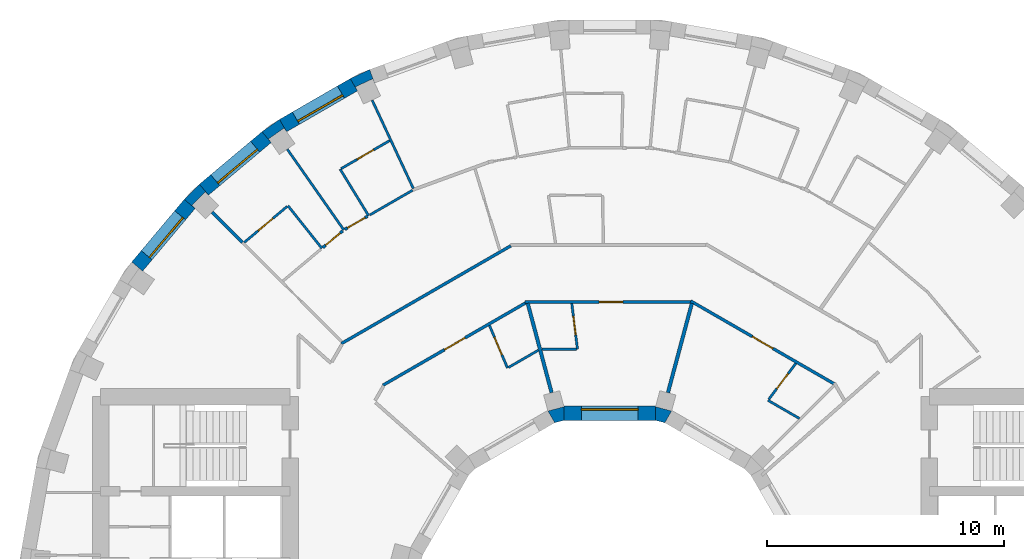
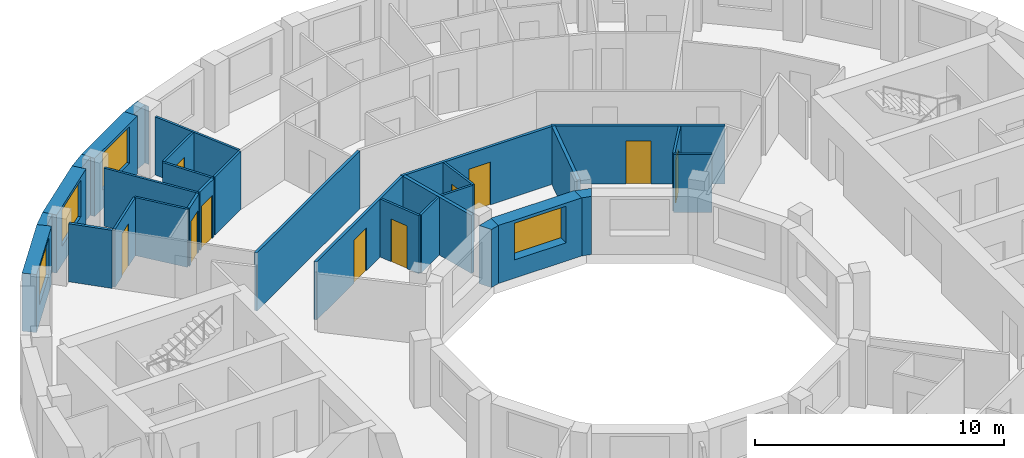
# One storey, part 11 of 15: 31 walls, 10 doors, 4 windows, 14 openings.
"""IFC4 building model written with IfcOpenShell, lengths in metres."""

from ifc_helpers import new_model, si_unit, direction, frame, frame_2d, origin, place, context, subcontext, project, spatial, polyline, rectangle, outline, extrude, material, layer, layer_set, type_object, element, fill, save


model = new_model("IFC4")

# Units and contexts
model_context = context("Model", 3, precision=1e-05, world=origin(), true_north=direction((0.0, 1.0)))
body_context = subcontext(model_context, "Body", "Model", "MODEL_VIEW")
ifc_project = project(units=[si_unit("LENGTHUNIT", "METRE"), si_unit("AREAUNIT", "SQUARE_METRE"), si_unit("VOLUMEUNIT", "CUBIC_METRE"), si_unit("PLANEANGLEUNIT", "RADIAN"), si_unit("MASSUNIT", "GRAM", prefix="KILO")], contexts=[model_context])

# Site, building, storey
site_placement = place(None, origin())
site = spatial("IfcSite", under=ifc_project, at=site_placement, CompositionType="ELEMENT")
building_placement = place(site_placement, origin())
building = spatial("IfcBuilding", under=site, at=building_placement, Name="Saqina Gate Tower", CompositionType="ELEMENT")
storey_placement = place(building_placement, frame((0.0, 0.0, 167.39990234375)))
storey = spatial("IfcBuildingStorey", under=building, at=storey_placement, Name="L47", CompositionType="ELEMENT", Elevation=167.39990234375)

# Walls
ifc_material_1 = material(Name="Brick masonry (buff)", Category="masonry")
wall_type_1 = type_object("IfcWallType", Name="BRICK PIER COPING BUFF", PredefinedType="SOLIDWALL", material=ifc_material_1)
wall_1_placement = place(storey_placement, origin())
element("IfcWall", 1, at=wall_1_placement, inside=storey, type_object=wall_type_1, Name="Pier cap L47 column 12", PredefinedType="SOLIDWALL", context=body_context, shape_type="SweptSolid", body=[
    extrude(outline(polyline([(-10.958740234375, 22.4306640625), (-10.65869140625, 21.9111328125), (-10.73779296875, 22.080810546875), (-10.0126953125, 22.4189453125), (-9.93359375, 22.249267578125), (-10.138916015625, 22.81298828125), (-10.958740234375, 22.4306640625)])), origin(), (0.0, 0.0, 1.0), 2.85009765625),
])
wall_2_placement = place(storey_placement, origin())
element("IfcWall", 2, at=wall_2_placement, inside=storey, type_object=wall_type_1, Name="Pier cap L47 column 13", PredefinedType="SOLIDWALL", context=body_context, shape_type="SweptSolid", body=[
    extrude(outline(polyline([(-13.9462890625, 20.705810546875), (-14.687255859375, 20.18701171875), (-14.301513671875, 19.727294921875), (-14.408935546875, 19.880859375), (-13.753662109375, 20.339599609375), (-13.646240234375, 20.186279296875), (-13.9462890625, 20.705810546875)])), origin(), (0.0, 0.0, 1.0), 2.85009765625),
])
wall_3_placement = place(storey_placement, origin())
element("IfcWall", 3, at=wall_3_placement, inside=storey, type_object=wall_type_1, Name="Pier cap L47 column 14", PredefinedType="SOLIDWALL", context=body_context, shape_type="SweptSolid", body=[
    extrude(outline(polyline([(-17.969482421875, 17.329833984375), (-17.510009765625, 16.944091796875), (-17.642333984375, 17.07666015625), (-17.07666015625, 17.642333984375), (-16.944091796875, 17.510009765625), (-17.329833984375, 17.969482421875), (-17.969482421875, 17.329833984375)])), origin(), (0.0, 0.0, 1.0), 2.85009765625),
])

# Wall, opening, window
ifc_material_2 = material(Name="Brick masonry (buff)", Category="masonry")
ifc_layer_1 = layer(ifc_material_2, 0.60009765625)
ifc_layer_set_1 = layer_set([ifc_layer_1], Name="FW-BRICK-BUFF")
wall_type_2 = type_object("IfcWallType", Name="FW-BRICK-BUFF", PredefinedType="SOLIDWALL", material=ifc_layer_set_1)
wall_4_placement = place(storey_placement, frame((-10.80859375, 22.1708984375, 0.0), z_axis=(0.0, 0.0, 1.0), x_axis=(-0.86602648383, -0.499998129301, 0.0)))
wall_4 = element("IfcWall", 4, at=wall_4_placement, inside=storey, type_object=wall_type_2, Name="Facade wall L47 facet 12", PredefinedType="SOLIDWALL", context=body_context, shape_type="SweptSolid", body=[
    extrude(rectangle(XDim=3.44970703125, YDim=0.60009765625, at=frame_2d((1.724853515625, 0.0))), origin(), (0.0, 0.0, 1.0), 2.85009765625),
])
opening_1_placement = place(wall_4_placement, frame((0.625, 0.0, 0.89990234375)))
opening_1 = element("IfcOpeningElement", 5, at=opening_1_placement, cuts=wall_4, Name="Opening G13-W10", PredefinedType="OPENING", context=body_context, shape_type="SweptSolid", body=[
    extrude(rectangle(XDim=2.199951171875, YDim=1.800048828125, at=frame_2d((1.10009765625, 0.89990234375))), frame((0.0, 0.31201171875, 0.0), z_axis=(0.0, -1.0, 0.0), x_axis=(1.0, 0.0, 0.0)), (0.0, 0.0, 1.0), 0.6240234375),
])
ifc_material_3 = material(Name="Aluminium glazing", Category="aluminium")
window_type_1 = type_object("IfcWindowType", Name="WN-C", PartitioningType="SINGLE_PANEL", PredefinedType="WINDOW", material=ifc_material_3)
window_1_placement = place(opening_1_placement, origin())
window_1 = element("IfcWindow", 6, at=window_1_placement, inside=storey, type_object=window_type_1, Name="Window L47 facet 12", OverallHeight=1.800048828125, OverallWidth=2.199951171875, PartitioningType="SINGLE_PANEL", PredefinedType="WINDOW", context=body_context, shape_type="SweptSolid", body=[
    extrude(rectangle(XDim=2.199951171875, YDim=1.800048828125, at=frame_2d((1.10009765625, 0.89990234375))), frame((0.0, 0.179931640625, 0.0), z_axis=(0.0, -1.0, 0.0), x_axis=(1.0, 0.0, 0.0)), (0.0, 0.0, 1.0), 0.06005859375),
])
fill(opening_1, window_1)

wall_5_placement = place(storey_placement, frame((-14.494384765625, 19.95703125, 0.0), z_axis=(0.0, 0.0, 1.0), x_axis=(-0.766058884809, -0.642770398358, 0.0)))
wall_5 = element("IfcWall", 7, at=wall_5_placement, inside=storey, type_object=wall_type_2, Name="Facade wall L47 facet 13", PredefinedType="SOLIDWALL", context=body_context, shape_type="SweptSolid", body=[
    extrude(rectangle(XDim=3.449462890625, YDim=0.60009765625, at=frame_2d((1.724609375, 0.0))), origin(), (0.0, 0.0, 1.0), 2.85009765625),
])
opening_2_placement = place(wall_5_placement, frame((0.625, 0.0, 0.89990234375)))
opening_2 = element("IfcOpeningElement", 8, at=opening_2_placement, cuts=wall_5, Name="Opening G13-W11", PredefinedType="OPENING", context=body_context, shape_type="SweptSolid", body=[
    extrude(rectangle(XDim=2.199951171875, YDim=1.800048828125, at=frame_2d((1.10009765625, 0.89990234375))), frame((0.0, 0.31201171875, 0.0), z_axis=(0.0, -1.0, 0.0), x_axis=(1.0, 0.0, 0.0)), (0.0, 0.0, 1.0), 0.6240234375),
])
window_2_placement = place(opening_2_placement, origin())
window_2 = element("IfcWindow", 9, at=window_2_placement, inside=storey, type_object=window_type_1, Name="Window L47 facet 13", OverallHeight=1.800048828125, OverallWidth=2.199951171875, PartitioningType="SINGLE_PANEL", PredefinedType="WINDOW", context=body_context, shape_type="SweptSolid", body=[
    extrude(rectangle(XDim=2.199951171875, YDim=1.800048828125, at=frame_2d((1.10009765625, 0.89990234375))), frame((0.0, 0.179931640625, 0.0), z_axis=(0.0, -1.0, 0.0), x_axis=(1.0, 0.0, 0.0)), (0.0, 0.0, 1.0), 0.06005859375),
])
fill(opening_2, window_2)

wall_6_placement = place(storey_placement, frame((-17.73974609375, 17.136962890625, 0.0), z_axis=(0.0, 0.0, 1.0), x_axis=(-0.642770398358, -0.766058884809, 0.0)))
wall_6 = element("IfcWall", 10, at=wall_6_placement, inside=storey, type_object=wall_type_2, Name="Facade wall L47 facet 14", PredefinedType="SOLIDWALL", context=body_context, shape_type="SweptSolid", body=[
    extrude(rectangle(XDim=3.449462890625, YDim=0.60009765625, at=frame_2d((1.724609375, 0.0))), origin(), (0.0, 0.0, 1.0), 2.85009765625),
])
opening_3_placement = place(wall_6_placement, frame((0.625, 0.0, 0.89990234375)))
opening_3 = element("IfcOpeningElement", 11, at=opening_3_placement, cuts=wall_6, Name="Opening G13-W12", PredefinedType="OPENING", context=body_context, shape_type="SweptSolid", body=[
    extrude(rectangle(XDim=2.199951171875, YDim=1.800048828125, at=frame_2d((1.10009765625, 0.89990234375))), frame((0.0, 0.31201171875, 0.0), z_axis=(0.0, -1.0, 0.0), x_axis=(1.0, 0.0, 0.0)), (0.0, 0.0, 1.0), 0.6240234375),
])
window_3_placement = place(opening_3_placement, origin())
window_3 = element("IfcWindow", 12, at=window_3_placement, inside=storey, type_object=window_type_1, Name="Window L47 facet 14", OverallHeight=1.800048828125, OverallWidth=2.199951171875, PartitioningType="SINGLE_PANEL", PredefinedType="WINDOW", context=body_context, shape_type="SweptSolid", body=[
    extrude(rectangle(XDim=2.199951171875, YDim=1.800048828125, at=frame_2d((1.10009765625, 0.89990234375))), frame((0.0, 0.179931640625, 0.0), z_axis=(0.0, -1.0, 0.0), x_axis=(1.0, 0.0, 0.0)), (0.0, 0.0, 1.0), 0.06005859375),
])
fill(opening_3, window_3)

ifc_material_4 = material(Name="Glazed ceramic tile", Category="ceramic")
ifc_layer_2 = layer(ifc_material_4, 0.60009765625)
ifc_layer_set_2 = layer_set([ifc_layer_2], Name="IW-TILE")
wall_type_3 = type_object("IfcWallType", Name="IW-TILE", PredefinedType="SOLIDWALL", material=ifc_layer_set_2)
wall_7_placement = place(storey_placement, frame((1.934814453125, 8.300048828125, 0.0), z_axis=(0.0, 0.0, 1.0), x_axis=(-1.0, 0.0, 0.0)))
wall_7 = element("IfcWall", 13, at=wall_7_placement, inside=storey, type_object=wall_type_3, Name="Well wall L47 facet 3", PredefinedType="SOLIDWALL", context=body_context, shape_type="SweptSolid", body=[
    extrude(rectangle(XDim=3.86962890625, YDim=0.60009765625, at=frame_2d((1.934814453125, 0.0))), origin(), (0.0, 0.0, 1.0), 2.85009765625),
])
opening_4_placement = place(wall_7_placement, frame((0.73486328125, 0.0, 0.89990234375)))
opening_4 = element("IfcOpeningElement", 14, at=opening_4_placement, cuts=wall_7, Name="Opening G13-W25", PredefinedType="OPENING", context=body_context, shape_type="SweptSolid", body=[
    extrude(rectangle(XDim=2.39990234375, YDim=1.800048828125, at=frame_2d((1.199951171875, 0.89990234375))), frame((0.0, 0.31201171875, 0.0), z_axis=(0.0, -1.0, 0.0), x_axis=(1.0, 0.0, 0.0)), (0.0, 0.0, 1.0), 0.6240234375),
])
ifc_material_5 = material(Name="Aluminium glazing", Category="aluminium")
window_type_2 = type_object("IfcWindowType", Name="WN-W", PartitioningType="SINGLE_PANEL", PredefinedType="WINDOW", material=ifc_material_5)
window_4_placement = place(opening_4_placement, origin())
window_4 = element("IfcWindow", 15, at=window_4_placement, inside=storey, type_object=window_type_2, Name="Well window L47 facet 3", OverallHeight=1.800048828125, OverallWidth=2.39990234375, PartitioningType="SINGLE_PANEL", PredefinedType="WINDOW", context=body_context, shape_type="SweptSolid", body=[
    extrude(rectangle(XDim=2.39990234375, YDim=1.800048828125, at=frame_2d((1.199951171875, 0.89990234375))), frame((0.0, -0.119873046875, 0.0), z_axis=(0.0, -1.0, 0.0), x_axis=(1.0, 0.0, 0.0)), (0.0, 0.0, 1.0), 0.06005859375),
])
fill(opening_4, window_4)

# Wall, opening, door
ifc_material_6 = material(Name="Gypsum board on steel studs, 100 mm", Category="steel")
ifc_layer_3 = layer(ifc_material_6, 0.10009765625)
ifc_layer_set_3 = layer_set([ifc_layer_3], Name="PARTITION 100")
wall_type_4 = type_object("IfcWallType", Name="PARTITION 100", PredefinedType="PARTITIONING", material=ifc_layer_set_3)
wall_8_placement = place(storey_placement, frame((-1.604248046875, 12.93798828125, 0.0), z_axis=(0.0, 0.0, 1.0), x_axis=(0.123019127117, -0.992404299851, 0.0)))
wall_8 = element("IfcWall", 16, at=wall_8_placement, inside=storey, type_object=wall_type_4, Name="PARTITION PW3-04", PredefinedType="PARTITIONING", context=body_context, shape_type="SweptSolid", body=[
    extrude(rectangle(XDim=1.952880859375, YDim=0.10009765625, at=frame_2d((0.9765625, 0.0))), origin(), (0.0, 0.0, 1.0), 2.85009765625),
])
opening_5_placement = place(wall_8_placement, frame((0.545166015625, 0.0, 0.0)))
opening_5 = element("IfcOpeningElement", 17, at=opening_5_placement, cuts=wall_8, Name="Opening G13-D16", PredefinedType="OPENING", context=body_context, shape_type="SweptSolid", body=[
    extrude(rectangle(XDim=0.800048828125, YDim=2.10009765625, at=frame_2d((0.39990234375, 1.050048828125))), frame((0.0, 0.06201171875, 0.0), z_axis=(0.0, -1.0, 0.0), x_axis=(1.0, 0.0, 0.0)), (0.0, 0.0, 1.0), 0.1240234375),
])
ifc_material_7 = material(Name="Timber door leaf, 800 mm", Category="wood")
door_type_1 = type_object("IfcDoorType", Name="DOOR 800 TIMBER", OperationType="SINGLE_SWING_LEFT", PredefinedType="DOOR", material=ifc_material_7)
door_1_placement = place(opening_5_placement, origin())
door_1 = element("IfcDoor", 18, at=door_1_placement, inside=storey, type_object=door_type_1, Name="DOOR G13-D16", OperationType="SINGLE_SWING_LEFT", OverallHeight=2.10009765625, OverallWidth=0.800048828125, PredefinedType="DOOR", context=body_context, shape_type="SweptSolid", body=[
    extrude(rectangle(XDim=0.800048828125, YDim=2.10009765625, at=frame_2d((0.39990234375, 1.050048828125))), frame((0.0, 0.02490234375, 0.0), z_axis=(0.0, -1.0, 0.0), x_axis=(1.0, 0.0, 0.0)), (0.0, 0.0, 1.0), 0.050048828125),
])
fill(opening_5, door_1)

wall_9_placement = place(storey_placement, frame((-5.07958984375, 12.00634765625, 0.0), z_axis=(0.0, 0.0, 1.0), x_axis=(0.389493140841, -0.92102936611, 0.0)))
wall_9 = element("IfcWall", 19, at=wall_9_placement, inside=storey, type_object=wall_type_4, Name="PARTITION PW3-08", PredefinedType="PARTITIONING", context=body_context, shape_type="SweptSolid", body=[
    extrude(rectangle(XDim=1.95263671875, YDim=0.10009765625, at=frame_2d((0.976318359375, 0.0))), origin(), (0.0, 0.0, 1.0), 2.85009765625),
])
opening_6_placement = place(wall_9_placement, frame((0.545166015625, 0.0, 0.0)))
opening_6 = element("IfcOpeningElement", 20, at=opening_6_placement, cuts=wall_9, Name="Opening G13-D20", PredefinedType="OPENING", context=body_context, shape_type="SweptSolid", body=[
    extrude(rectangle(XDim=0.800048828125, YDim=2.10009765625, at=frame_2d((0.39990234375, 1.050048828125))), frame((0.0, 0.06201171875, 0.0), z_axis=(0.0, -1.0, 0.0), x_axis=(1.0, 0.0, 0.0)), (0.0, 0.0, 1.0), 0.1240234375),
])
door_2_placement = place(opening_6_placement, frame((0.800048828125, 0.0, 0.0), z_axis=(0.0, 0.0, 1.0), x_axis=(-1.0, 0.0, 0.0)))
door_2 = element("IfcDoor", 21, at=door_2_placement, inside=storey, type_object=door_type_1, Name="DOOR G13-D20", OperationType="SINGLE_SWING_RIGHT", OverallHeight=2.10009765625, OverallWidth=0.800048828125, PredefinedType="DOOR", context=body_context, shape_type="SweptSolid", body=[
    extrude(rectangle(XDim=0.800048828125, YDim=2.10009765625, at=frame_2d((0.39990234375, 1.050048828125))), frame((0.0, 0.02490234375, 0.0), z_axis=(0.0, -1.0, 0.0), x_axis=(1.0, 0.0, 0.0)), (0.0, 0.0, 1.0), 0.050048828125),
])
fill(opening_6, door_2)

# Walls
wall_10_placement = place(storey_placement, frame((-10.032470703125, 21.51611328125, 0.0), z_axis=(0.0, 0.0, 1.0), x_axis=(0.422407439585, -0.906406065173, 0.0)))
element("IfcWall", 22, at=wall_10_placement, inside=storey, type_object=wall_type_4, Name="PARTITION PW3-09", PredefinedType="PARTITIONING", context=body_context, shape_type="SweptSolid", body=[
    extrude(rectangle(XDim=4.110595703125, YDim=0.10009765625, at=frame_2d((2.05517578125, 0.0))), origin(), (0.0, 0.0, 1.0), 2.85009765625),
])
wall_11_placement = place(storey_placement, frame((-11.385009765625, 18.60498046875, 0.0), z_axis=(0.0, 0.0, 1.0), x_axis=(0.522076659847, -0.852898564451, 0.0)))
element("IfcWall", 23, at=wall_11_placement, inside=storey, type_object=wall_type_4, Name="PARTITION PW3-11", PredefinedType="PARTITIONING", context=body_context, shape_type="SweptSolid", body=[
    extrude(rectangle(XDim=2.30029296875, YDim=0.10009765625, at=frame_2d((1.150146484375, 0.0))), origin(), (0.0, 0.0, 1.0), 2.85009765625),
])
wall_12_placement = place(storey_placement, frame((-13.616943359375, 19.446533203125, 0.0), z_axis=(0.0, 0.0, 1.0), x_axis=(0.573631652668, -0.819113378634, 0.0)))
element("IfcWall", 24, at=wall_12_placement, inside=storey, type_object=wall_type_4, Name="PARTITION PW3-13", PredefinedType="PARTITIONING", context=body_context, shape_type="SweptSolid", body=[
    extrude(rectangle(XDim=4.1611328125, YDim=0.10009765625, at=frame_2d((2.08056640625, 0.0))), origin(), (0.0, 0.0, 1.0), 2.85009765625),
])
wall_13_placement = place(storey_placement, frame((-13.589111328125, 17.06103515625, 0.0), z_axis=(0.0, 0.0, 1.0), x_axis=(0.623062698495, -0.782171895266, 0.0)))
element("IfcWall", 25, at=wall_13_placement, inside=storey, type_object=wall_type_4, Name="PARTITION PW3-15", PredefinedType="PARTITIONING", context=body_context, shape_type="SweptSolid", body=[
    extrude(rectangle(XDim=2.300048828125, YDim=0.10009765625, at=frame_2d((1.14990234375, 0.0))), origin(), (0.0, 0.0, 1.0), 2.85009765625),
])
wall_14_placement = place(storey_placement, frame((6.680908203125, 8.843994140625, 0.0), z_axis=(0.0, 0.0, 1.0), x_axis=(0.866336585673, -0.499460629403, 0.0)))
element("IfcWall", 26, at=wall_14_placement, inside=storey, type_object=wall_type_4, Name="PARTITION PW3-24", PredefinedType="PARTITIONING", context=body_context, shape_type="SweptSolid", body=[
    extrude(rectangle(XDim=1.533935546875, YDim=0.10009765625, at=frame_2d((0.76708984375, 0.0))), origin(), (0.0, 0.0, 1.0), 2.85009765625),
])
wall_15_placement = place(storey_placement, frame((-2.8720703125, 11.0, 0.0), z_axis=(0.0, 0.0, 1.0), x_axis=(1.0, 0.0, 0.0)))
element("IfcWall", 27, at=wall_15_placement, inside=storey, type_object=wall_type_4, Name="PARTITION PW3-34", PredefinedType="PARTITIONING", context=body_context, shape_type="SweptSolid", body=[
    extrude(rectangle(XDim=1.4580078125, YDim=0.10009765625, at=frame_2d((0.72900390625, 0.0))), origin(), (0.0, 0.0, 1.0), 2.85009765625),
])
wall_16_placement = place(storey_placement, frame((-4.275634765625, 10.23291015625, 0.0), z_axis=(0.0, 0.0, 1.0), x_axis=(0.866051847062, 0.499954196102, 0.0)))
element("IfcWall", 28, at=wall_16_placement, inside=storey, type_object=wall_type_4, Name="PARTITION PW3-44", PredefinedType="PARTITIONING", context=body_context, shape_type="SweptSolid", body=[
    extrude(rectangle(XDim=1.459228515625, YDim=0.10009765625, at=frame_2d((0.7294921875, 0.0))), origin(), (0.0, 0.0, 1.0), 2.85009765625),
])
wall_17_placement = place(storey_placement, frame((-10.1298828125, 16.67431640625, 0.0), z_axis=(0.0, 0.0, 1.0), x_axis=(0.866052632827, 0.499952834948, 0.0)))
element("IfcWall", 29, at=wall_17_placement, inside=storey, type_object=wall_type_4, Name="PARTITION PW3-45", PredefinedType="PARTITIONING", context=body_context, shape_type="SweptSolid", body=[
    extrude(rectangle(XDim=2.079345703125, YDim=0.10009765625, at=frame_2d((1.03955078125, 0.0))), origin(), (0.0, 0.0, 1.0), 2.85009765625),
])

# Wall, opening, door
wall_18_placement = place(storey_placement, frame((-11.341796875, 18.6298828125, 0.0), z_axis=(0.0, 0.0, 1.0), x_axis=(0.866139183788, 0.49980287545, 0.0)))
wall_18 = element("IfcWall", 30, at=wall_18_placement, inside=storey, type_object=wall_type_4, Name="PARTITION PW3-46", PredefinedType="PARTITIONING", context=body_context, shape_type="SweptSolid", body=[
    extrude(rectangle(XDim=2.365234375, YDim=0.10009765625, at=frame_2d((1.1826171875, 0.0))), origin(), (0.0, 0.0, 1.0), 2.85009765625),
])
opening_7_placement = place(wall_18_placement, frame((0.782470703125, 0.0, 0.0)))
opening_7 = element("IfcOpeningElement", 31, at=opening_7_placement, cuts=wall_18, Name="Opening G13-D21", PredefinedType="OPENING", context=body_context, shape_type="SweptSolid", body=[
    extrude(rectangle(XDim=0.800048828125, YDim=2.10009765625, at=frame_2d((0.39990234375, 1.050048828125))), frame((0.0, 0.06201171875, 0.0), z_axis=(0.0, -1.0, 0.0), x_axis=(1.0, 0.0, 0.0)), (0.0, 0.0, 1.0), 0.1240234375),
])
door_3_placement = place(opening_7_placement, origin())
door_3 = element("IfcDoor", 32, at=door_3_placement, inside=storey, type_object=door_type_1, Name="DOOR G13-D21", OperationType="SINGLE_SWING_RIGHT", OverallHeight=2.10009765625, OverallWidth=0.800048828125, PredefinedType="DOOR", context=body_context, shape_type="SweptSolid", body=[
    extrude(rectangle(XDim=0.800048828125, YDim=2.10009765625, at=frame_2d((0.39990234375, 1.050048828125))), frame((0.0, 0.02490234375, 0.0), z_axis=(0.0, -1.0, 0.0), x_axis=(1.0, 0.0, 0.0)), (0.0, 0.0, 1.0), 0.050048828125),
])
fill(opening_7, door_3)

wall_19_placement = place(storey_placement, frame((-15.4375, 15.510009765625, 0.0), z_axis=(0.0, 0.0, 1.0), x_axis=(0.766091436164, 0.642731601399, 0.0)))
wall_19 = element("IfcWall", 33, at=wall_19_placement, inside=storey, type_object=wall_type_4, Name="PARTITION PW3-51", PredefinedType="PARTITIONING", context=body_context, shape_type="SweptSolid", body=[
    extrude(rectangle(XDim=2.363037109375, YDim=0.10009765625, at=frame_2d((1.181640625, 0.0))), origin(), (0.0, 0.0, 1.0), 2.85009765625),
])
opening_8_placement = place(wall_19_placement, frame((0.78076171875, 0.0, 0.0)))
opening_8 = element("IfcOpeningElement", 34, at=opening_8_placement, cuts=wall_19, Name="Opening G13-D25", PredefinedType="OPENING", context=body_context, shape_type="SweptSolid", body=[
    extrude(rectangle(XDim=0.800048828125, YDim=2.10009765625, at=frame_2d((0.39990234375, 1.050048828125))), frame((0.0, 0.06201171875, 0.0), z_axis=(0.0, -1.0, 0.0), x_axis=(1.0, 0.0, 0.0)), (0.0, 0.0, 1.0), 0.1240234375),
])
door_4_placement = place(opening_8_placement, origin())
door_4 = element("IfcDoor", 35, at=door_4_placement, inside=storey, type_object=door_type_1, Name="DOOR G13-D25", OperationType="SINGLE_SWING_LEFT", OverallHeight=2.10009765625, OverallWidth=0.800048828125, PredefinedType="DOOR", context=body_context, shape_type="SweptSolid", body=[
    extrude(rectangle(XDim=0.800048828125, YDim=2.10009765625, at=frame_2d((0.39990234375, 1.050048828125))), frame((0.0, 0.02490234375, 0.0), z_axis=(0.0, -1.0, 0.0), x_axis=(1.0, 0.0, 0.0)), (0.0, 0.0, 1.0), 0.050048828125),
])
fill(opening_8, door_4)

wall_20_placement = place(storey_placement, frame((6.711181640625, 8.8837890625, 0.0), z_axis=(0.0, 0.0, 1.0), x_axis=(0.602582661098, 0.798056474533, 0.0)))
wall_20 = element("IfcWall", 36, at=wall_20_placement, inside=storey, type_object=wall_type_4, Name="PARTITION PW3-53", PredefinedType="PARTITIONING", context=body_context, shape_type="SweptSolid", body=[
    extrude(rectangle(XDim=1.9033203125, YDim=0.10009765625, at=frame_2d((0.95166015625, 0.0))), origin(), (0.0, 0.0, 1.0), 2.85009765625),
])
opening_9_placement = place(wall_20_placement, frame((0.55810546875, 0.0, 0.0)))
opening_9 = element("IfcOpeningElement", 37, at=opening_9_placement, cuts=wall_20, Name="Opening G13-D03", PredefinedType="OPENING", context=body_context, shape_type="SweptSolid", body=[
    extrude(rectangle(XDim=0.800048828125, YDim=2.10009765625, at=frame_2d((0.39990234375, 1.050048828125))), frame((0.0, 0.06201171875, 0.0), z_axis=(0.0, -1.0, 0.0), x_axis=(1.0, 0.0, 0.0)), (0.0, 0.0, 1.0), 0.1240234375),
])
door_5_placement = place(opening_9_placement, origin())
door_5 = element("IfcDoor", 38, at=door_5_placement, inside=storey, type_object=door_type_1, Name="DOOR G13-D03", OperationType="SINGLE_SWING_RIGHT", OverallHeight=2.10009765625, OverallWidth=0.800048828125, PredefinedType="DOOR", context=body_context, shape_type="SweptSolid", body=[
    extrude(rectangle(XDim=0.800048828125, YDim=2.10009765625, at=frame_2d((0.39990234375, 1.050048828125))), frame((0.0, 0.02490234375, 0.0), z_axis=(0.0, -1.0, 0.0), x_axis=(1.0, 0.0, 0.0)), (0.0, 0.0, 1.0), 0.050048828125),
])
fill(opening_9, door_5)

# Wall
ifc_material_8 = material(Name="Gypsum board on steel studs, 125 mm, fire rated", Category="steel")
ifc_layer_4 = layer(ifc_material_8, 0.125)
ifc_layer_set_4 = layer_set([ifc_layer_4], Name="PARTITION EI 30 125")
wall_type_5 = type_object("IfcWallType", Name="PARTITION EI 30 125", PredefinedType="PARTITIONING", material=ifc_layer_set_4)
wall_21_placement = place(storey_placement, frame((-16.78662109375, 16.78662109375, 0.0), z_axis=(0.0, 0.0, 1.0), x_axis=(0.707106781187, -0.707106781187, 0.0)))
element("IfcWall", 39, at=wall_21_placement, inside=storey, type_object=wall_type_5, Name="PARTITION PW1-05", PredefinedType="PARTITIONING", context=body_context, shape_type="SweptSolid", body=[
    extrude(rectangle(XDim=1.80224609375, YDim=0.125, at=frame_2d((0.901123046875, 0.0))), origin(), (0.0, 0.0, 1.0), 2.85009765625),
])

# Wall, opening, door
wall_22_placement = place(storey_placement, frame((3.42041015625, 13.0361328125, 0.0), z_axis=(0.0, 0.0, 1.0), x_axis=(0.866077207726, -0.499910262205, 0.0)))
wall_22 = element("IfcWall", 40, at=wall_22_placement, inside=storey, type_object=wall_type_5, Name="PARTITION PW1-12", PredefinedType="PARTITIONING", context=body_context, shape_type="SweptSolid", body=[
    extrude(rectangle(XDim=6.976806640625, YDim=0.125, at=frame_2d((3.48828125, 0.0))), origin(), (0.0, 0.0, 1.0), 2.85009765625),
])
opening_10_placement = place(wall_22_placement, frame((3.0048828125, 0.0, 0.0)))
opening_10 = element("IfcOpeningElement", 41, at=opening_10_placement, cuts=wall_22, Name="Opening G13-D05", PredefinedType="OPENING", context=body_context, shape_type="SweptSolid", body=[
    extrude(rectangle(XDim=1.0, YDim=2.10009765625, at=frame_2d((0.5, 1.050048828125))), frame((0.0, 0.074462890625, 0.0), z_axis=(0.0, -1.0, 0.0), x_axis=(1.0, 0.0, 0.0)), (0.0, 0.0, 1.0), 0.14892578125),
])
ifc_material_9 = material(Name="Fire door leaf EI 30, 1000 mm")
door_type_2 = type_object("IfcDoorType", Name="DOOR 1000 EI 30", OperationType="SINGLE_SWING_LEFT", PredefinedType="DOOR", material=ifc_material_9)
door_6_placement = place(opening_10_placement, frame((1.0, 0.0, 0.0), z_axis=(0.0, 0.0, 1.0), x_axis=(-1.0, 0.0, 0.0)))
door_6 = element("IfcDoor", 42, at=door_6_placement, inside=storey, type_object=door_type_2, Name="DOOR G13-D05", OperationType="SINGLE_SWING_LEFT", OverallHeight=2.10009765625, OverallWidth=1.0, PredefinedType="DOOR", context=body_context, shape_type="SweptSolid", body=[
    extrude(rectangle(XDim=1.0, YDim=2.10009765625, at=frame_2d((0.5, 1.050048828125))), frame((0.0, 0.02490234375, 0.0), z_axis=(0.0, -1.0, 0.0), x_axis=(1.0, 0.0, 0.0)), (0.0, 0.0, 1.0), 0.050048828125),
])
fill(opening_10, door_6)

wall_23_placement = place(storey_placement, frame((-3.569580078125, 13.0, 0.0), z_axis=(0.0, 0.0, 1.0), x_axis=(1.0, 0.0, 0.0)))
wall_23 = element("IfcWall", 43, at=wall_23_placement, inside=storey, type_object=wall_type_5, Name="PARTITION PW1-19", PredefinedType="PARTITIONING", context=body_context, shape_type="SweptSolid", body=[
    extrude(rectangle(XDim=6.989990234375, YDim=0.125, at=frame_2d((3.4951171875, 0.0))), origin(), (0.0, 0.0, 1.0), 2.85009765625),
])
opening_11_placement = place(wall_23_placement, frame((3.1201171875, 0.0, 0.0)))
opening_11 = element("IfcOpeningElement", 44, at=opening_11_placement, cuts=wall_23, Name="Opening G13-D13", PredefinedType="OPENING", context=body_context, shape_type="SweptSolid", body=[
    extrude(rectangle(XDim=1.0, YDim=2.10009765625, at=frame_2d((0.5, 1.050048828125))), frame((0.0, 0.074462890625, 0.0), z_axis=(0.0, -1.0, 0.0), x_axis=(1.0, 0.0, 0.0)), (0.0, 0.0, 1.0), 0.14892578125),
])
door_7_placement = place(opening_11_placement, frame((1.0, 0.0, 0.0), z_axis=(0.0, 0.0, 1.0), x_axis=(-1.0, 0.0, 0.0)))
door_7 = element("IfcDoor", 45, at=door_7_placement, inside=storey, type_object=door_type_2, Name="DOOR G13-D13", OperationType="SINGLE_SWING_LEFT", OverallHeight=2.10009765625, OverallWidth=1.0, PredefinedType="DOOR", context=body_context, shape_type="SweptSolid", body=[
    extrude(rectangle(XDim=1.0, YDim=2.10009765625, at=frame_2d((0.5, 1.050048828125))), frame((0.0, 0.02490234375, 0.0), z_axis=(0.0, -1.0, 0.0), x_axis=(1.0, 0.0, 0.0)), (0.0, 0.0, 1.0), 0.050048828125),
])
fill(opening_11, door_7)

wall_24_placement = place(storey_placement, frame((-9.57958984375, 9.48095703125, 0.0), z_axis=(0.0, 0.0, 1.0), x_axis=(0.866086354705, 0.499894415045, 0.0)))
wall_24 = element("IfcWall", 46, at=wall_24_placement, inside=storey, type_object=wall_type_5, Name="PARTITION PW1-26", PredefinedType="PARTITIONING", context=body_context, shape_type="SweptSolid", body=[
    extrude(rectangle(XDim=6.96435546875, YDim=0.125, at=frame_2d((3.482177734375, 0.0))), origin(), (0.0, 0.0, 1.0), 2.85009765625),
])
opening_12_placement = place(wall_24_placement, frame((3.0048828125, 0.0, 0.0)))
opening_12 = element("IfcOpeningElement", 47, at=opening_12_placement, cuts=wall_24, Name="Opening G13-D22", PredefinedType="OPENING", context=body_context, shape_type="SweptSolid", body=[
    extrude(rectangle(XDim=1.0, YDim=2.10009765625, at=frame_2d((0.5, 1.050048828125))), frame((0.0, 0.074462890625, 0.0), z_axis=(0.0, -1.0, 0.0), x_axis=(1.0, 0.0, 0.0)), (0.0, 0.0, 1.0), 0.14892578125),
])
door_8_placement = place(opening_12_placement, frame((1.0, 0.0, 0.0), z_axis=(0.0, 0.0, 1.0), x_axis=(-1.0, 0.0, 0.0)))
door_8 = element("IfcDoor", 48, at=door_8_placement, inside=storey, type_object=door_type_2, Name="DOOR G13-D22", OperationType="SINGLE_SWING_LEFT", OverallHeight=2.10009765625, OverallWidth=1.0, PredefinedType="DOOR", context=body_context, shape_type="SweptSolid", body=[
    extrude(rectangle(XDim=1.0, YDim=2.10009765625, at=frame_2d((0.5, 1.050048828125))), frame((0.0, 0.02490234375, 0.0), z_axis=(0.0, -1.0, 0.0), x_axis=(1.0, 0.0, 0.0)), (0.0, 0.0, 1.0), 0.050048828125),
])
fill(opening_12, door_8)

# Wall
wall_25_placement = place(storey_placement, frame((-11.33642578125, 11.23779296875, 0.0), z_axis=(0.0, 0.0, 1.0), x_axis=(0.866067506982, 0.499927068031, 0.0)))
element("IfcWall", 49, at=wall_25_placement, inside=storey, type_object=wall_type_5, Name="PARTITION PW1-27", PredefinedType="PARTITIONING", context=body_context, shape_type="SweptSolid", body=[
    extrude(rectangle(XDim=8.262939453125, YDim=0.125, at=frame_2d((4.13134765625, 0.0))), origin(), (0.0, 0.0, 1.0), 2.85009765625),
])

# Wall, opening, door
wall_26_placement = place(storey_placement, frame((-11.186767578125, 16.06298828125, 0.0), z_axis=(0.0, 0.0, 1.0), x_axis=(0.865888396158, 0.500237229121, 0.0)))
wall_26 = element("IfcWall", 50, at=wall_26_placement, inside=storey, type_object=wall_type_5, Name="PARTITION PW1-28", PredefinedType="PARTITIONING", context=body_context, shape_type="SweptSolid", body=[
    extrude(rectangle(XDim=1.1083984375, YDim=0.125, at=frame_2d((0.55419921875, 0.0))), origin(), (0.0, 0.0, 1.0), 2.85009765625),
])
opening_13_placement = place(wall_26_placement, frame((0.129150390625, 0.0, 0.0)))
opening_13 = element("IfcOpeningElement", 51, at=opening_13_placement, cuts=wall_26, Name="Opening G13-D23", PredefinedType="OPENING", context=body_context, shape_type="SweptSolid", body=[
    extrude(rectangle(XDim=0.85009765625, YDim=2.10009765625, at=frame_2d((0.425048828125, 1.050048828125))), frame((0.0, 0.074462890625, 0.0), z_axis=(0.0, -1.0, 0.0), x_axis=(1.0, 0.0, 0.0)), (0.0, 0.0, 1.0), 0.14892578125),
])
ifc_material_10 = material(Name="Fire door leaf EI 30, 850 mm")
door_type_3 = type_object("IfcDoorType", Name="DOOR 850 EI 30", OperationType="SINGLE_SWING_LEFT", PredefinedType="DOOR", material=ifc_material_10)
door_9_placement = place(opening_13_placement, frame((0.85009765625, 0.0, 0.0), z_axis=(0.0, 0.0, 1.0), x_axis=(-1.0, 0.0, 0.0)))
door_9 = element("IfcDoor", 52, at=door_9_placement, inside=storey, type_object=door_type_3, Name="DOOR G13-D23", OperationType="SINGLE_SWING_RIGHT", OverallHeight=2.10009765625, OverallWidth=0.85009765625, PredefinedType="DOOR", context=body_context, shape_type="SweptSolid", body=[
    extrude(rectangle(XDim=0.85009765625, YDim=2.10009765625, at=frame_2d((0.425048828125, 1.050048828125))), frame((0.0, 0.02490234375, 0.0), z_axis=(0.0, -1.0, 0.0), x_axis=(1.0, 0.0, 0.0)), (0.0, 0.0, 1.0), 0.050048828125),
])
fill(opening_13, door_9)

wall_27_placement = place(storey_placement, frame((-12.1181640625, 15.29443359375, 0.0), z_axis=(0.0, 0.0, 1.0), x_axis=(0.766831623153, 0.641848316764, 0.0)))
wall_27 = element("IfcWall", 53, at=wall_27_placement, inside=storey, type_object=wall_type_5, Name="PARTITION PW1-29", PredefinedType="PARTITIONING", context=body_context, shape_type="SweptSolid", body=[
    extrude(rectangle(XDim=1.095947265625, YDim=0.125, at=frame_2d((0.5478515625, 0.0))), origin(), (0.0, 0.0, 1.0), 2.85009765625),
])
opening_14_placement = place(wall_27_placement, frame((0.154052734375, 0.0, 0.0)))
opening_14 = element("IfcOpeningElement", 54, at=opening_14_placement, cuts=wall_27, Name="Opening G13-D24", PredefinedType="OPENING", context=body_context, shape_type="SweptSolid", body=[
    extrude(rectangle(XDim=0.800048828125, YDim=2.10009765625, at=frame_2d((0.39990234375, 1.050048828125))), frame((0.0, 0.074462890625, 0.0), z_axis=(0.0, -1.0, 0.0), x_axis=(1.0, 0.0, 0.0)), (0.0, 0.0, 1.0), 0.14892578125),
])
ifc_material_11 = material(Name="Fire door leaf EI 30, 800 mm")
door_type_4 = type_object("IfcDoorType", Name="DOOR 800 EI 30", OperationType="SINGLE_SWING_LEFT", PredefinedType="DOOR", material=ifc_material_11)
door_10_placement = place(opening_14_placement, frame((0.800048828125, 0.0, 0.0), z_axis=(0.0, 0.0, 1.0), x_axis=(-1.0, 0.0, 0.0)))
door_10 = element("IfcDoor", 55, at=door_10_placement, inside=storey, type_object=door_type_4, Name="DOOR G13-D24", OperationType="SINGLE_SWING_LEFT", OverallHeight=2.10009765625, OverallWidth=0.800048828125, PredefinedType="DOOR", context=body_context, shape_type="SweptSolid", body=[
    extrude(rectangle(XDim=0.800048828125, YDim=2.10009765625, at=frame_2d((0.39990234375, 1.050048828125))), frame((0.0, 0.02490234375, 0.0), z_axis=(0.0, -1.0, 0.0), x_axis=(1.0, 0.0, 0.0)), (0.0, 0.0, 1.0), 0.050048828125),
])
fill(opening_14, door_10)

# Walls
ifc_material_12 = material(Name="Gypsum board on steel studs, 150 mm, fire rated", Category="steel")
ifc_layer_5 = layer(ifc_material_12, 0.14990234375)
ifc_layer_set_5 = layer_set([ifc_layer_5], Name="PARTITION EI 60 150")
wall_type_6 = type_object("IfcWallType", Name="PARTITION EI 60 150", PredefinedType="PARTITIONING", material=ifc_layer_set_5)
for number, where, z_axis, x_axis, name in (
    (56, (-3.46435546875, 12.940185546875, 0.0), (0.0, 0.0, 1.0), (0.258176450785, -0.966097779865, 0.0), "PARTITION PW2-01"),
    (57, (2.45703125, 9.168701171875, 0.0), (0.0, 0.0, 1.0), (0.258732959093, 0.965948888854, 0.0), "PARTITION PW2-05"),
):
    element("IfcWall", number, at=place(storey_placement, frame(where, z_axis=z_axis, x_axis=x_axis)), inside=storey, type_object=wall_type_6, Name=name, PredefinedType="PARTITIONING", context=body_context, shape_type="SweptSolid", body=[
        extrude(rectangle(XDim=3.903564453125, YDim=0.14990234375, at=frame_2d((1.95166015625, 0.0))), origin(), (0.0, 0.0, 1.0), 2.85009765625),
    ])
ifc_material_13 = material(Name="Glazed ceramic tile", Category="ceramic")
wall_type_7 = type_object("IfcWallType", Name="TILE PIER COPING", PredefinedType="SOLIDWALL", material=ifc_material_13)
wall_28_placement = place(storey_placement, origin())
element("IfcWall", 58, at=wall_28_placement, inside=storey, type_object=wall_type_7, Name="Well pier cap L47 column 3", PredefinedType="SOLIDWALL", context=body_context, shape_type="SweptSolid", body=[
    extrude(outline(polyline([(1.934814453125, 8.573486328125), (1.934814453125, 8.0), (2.32421875, 7.895751953125), (2.611083984375, 8.392333984375), (1.934814453125, 8.573486328125)])), origin(), (0.0, 0.0, 1.0), 2.85009765625),
])
wall_29_placement = place(storey_placement, origin())
element("IfcWall", 59, at=wall_29_placement, inside=storey, type_object=wall_type_7, Name="Well pier cap L47 column 4", PredefinedType="SOLIDWALL", context=body_context, shape_type="SweptSolid", body=[
    extrude(outline(polyline([(-1.934814453125, 8.0), (-1.934814453125, 8.573486328125), (-2.611083984375, 8.392333984375), (-2.32421875, 7.895751953125), (-1.934814453125, 8.0)])), origin(), (0.0, 0.0, 1.0), 2.85009765625),
])

save(model, "model.ifc")
